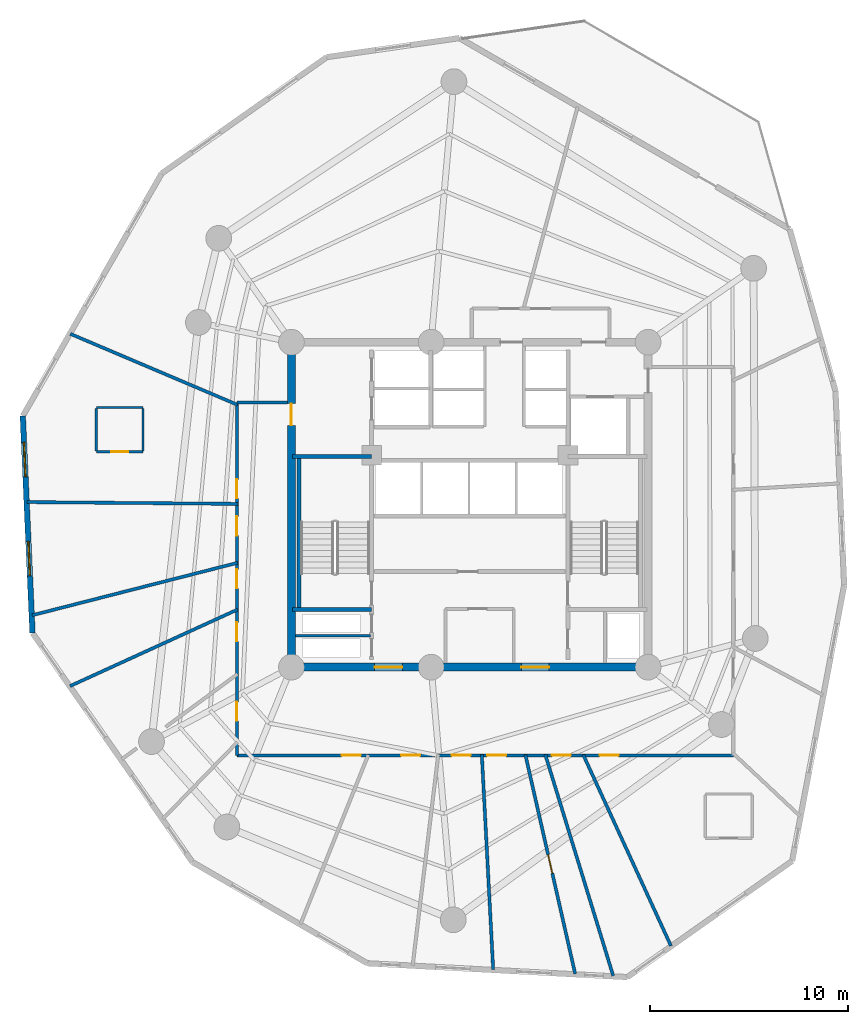
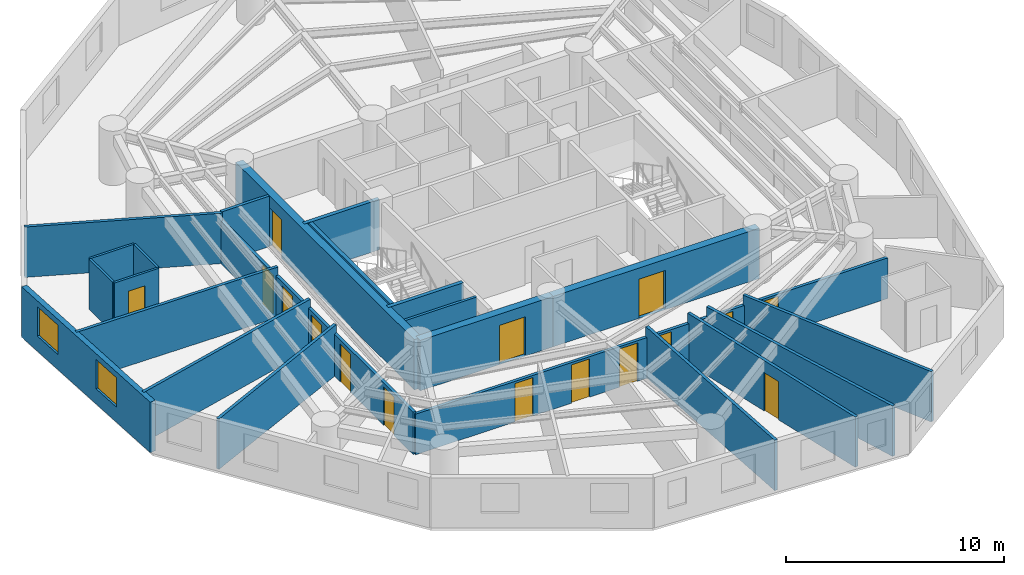
# One storey, part 3 of 7: 23 walls, 16 doors, 2 windows, 18 openings.
"""IFC4 building model written with IfcOpenShell, lengths in metres."""

from ifc_helpers import new_model, si_unit, direction, frame, frame_2d, origin, origin_with_axes, place, context, subcontext, project, spatial, rectangle, extrude, source, transform, mapped, material, layer, layer_set, type_object, element, fill, save


model = new_model("IFC4")

# Units and contexts
model_context = context("Model", 3, precision=1e-05, world=origin(), true_north=direction((0.0, 1.0)))
body_context = subcontext(model_context, "Body", "Model", "MODEL_VIEW")
ifc_project = project(units=[si_unit("LENGTHUNIT", "METRE"), si_unit("AREAUNIT", "SQUARE_METRE"), si_unit("VOLUMEUNIT", "CUBIC_METRE"), si_unit("PLANEANGLEUNIT", "RADIAN"), si_unit("MASSUNIT", "GRAM", prefix="KILO")], contexts=[model_context])

# Site, building, storey
site_placement = place(None, origin())
site = spatial("IfcSite", under=ifc_project, at=site_placement, CompositionType="ELEMENT")
building_placement = place(site_placement, origin())
building = spatial("IfcBuilding", under=site, at=building_placement, Name="Karkom Vertical University and Central Library", CompositionType="ELEMENT")
storey_placement = place(building_placement, frame((0.0, 0.0, 193.14990234375)))
storey = spatial("IfcBuildingStorey", under=building, at=storey_placement, Name="L56", CompositionType="ELEMENT", Elevation=193.14990234375)

# Wall, openings, windows
ifc_material_1 = material(Name="Brick-faced precast concrete C45/55", Category="masonry")
ifc_layer_1 = layer(ifc_material_1, 0.280029296875)
ifc_layer_set_1 = layer_set([ifc_layer_1], Name="Brick-faced precast concrete C45/55")
wall_type_1 = type_object("IfcWallType", Name="ENV-WL-BRK-280", PredefinedType="SOLIDWALL", material=ifc_layer_set_1)
wall_1_placement = place(storey_placement, frame((5.939697265625, 30.984130859375, 0.0), z_axis=(0.0, 0.0, 1.0), x_axis=(0.044646804319, -0.999002834262, 0.0)))
wall_1 = element("IfcWall", 1, at=wall_1_placement, inside=storey, type_object=wall_type_1, Name="Level 56 Brick-Faced Precast Facade Wall 12", PredefinedType="SOLIDWALL", context=body_context, shape_type="SweptSolid", body=[
    extrude(rectangle(XDim=10.974853515625, YDim=0.280029296875, at=frame_2d((5.4873046875, 0.0))), origin(), (0.0, 0.0, 1.0), 2.8251953125),
])
opening_1_placement = place(wall_1_placement, frame((1.334716796875, 0.0, 0.85009765625)))
opening_1 = element("IfcOpeningElement", 2, at=opening_1_placement, cuts=wall_1, Name="Opening WN-08", PredefinedType="OPENING", context=body_context, shape_type="SweptSolid", body=[
    extrude(rectangle(XDim=1.75, YDim=1.64990234375, at=frame_2d((0.875, 0.824951171875))), frame((0.0, 0.14990234375, 0.0), z_axis=(0.0, -1.0, 0.0), x_axis=(1.0, 0.0, 0.0)), (0.0, 0.0, 1.0), 0.300048828125),
])
opening_2_placement = place(wall_1_placement, frame((6.33837890625, 0.0, 0.85009765625)))
opening_2 = element("IfcOpeningElement", 3, at=opening_2_placement, cuts=wall_1, Name="Opening WN-08", PredefinedType="OPENING", context=body_context, shape_type="SweptSolid", body=[
    extrude(rectangle(XDim=1.75, YDim=1.64990234375, at=frame_2d((0.875, 0.824951171875))), frame((0.0, 0.14990234375, 0.0), z_axis=(0.0, -1.0, 0.0), x_axis=(1.0, 0.0, 0.0)), (0.0, 0.0, 1.0), 0.300048828125),
])
ifc_material_2 = material(Name="Aluminium thermal-break frame with solar-control IGU", Category="aluminium")
window_type = type_object("IfcWindowType", Name="ENV-WIN-WN-08", PartitioningType="SINGLE_PANEL", PredefinedType="WINDOW", material=ifc_material_2)
shared_shape_1 = source(origin_with_axes(), body_context, "Body", "SweptSolid", [
    extrude(rectangle(XDim=1.75, YDim=1.64990234375, at=frame_2d((0.875, 0.824951171875))), frame((0.0, 0.030029296875, 0.0), z_axis=(0.0, -1.0, 0.0), x_axis=(1.0, 0.0, 0.0)), (0.0, 0.0, 1.0), 0.06005859375),
])
window_1_placement = place(opening_1_placement, origin())
window_1 = element("IfcWindow", 4, at=window_1_placement, inside=storey, type_object=window_type, Name="Level 56 Punched Window 12.1", OverallHeight=1.64990234375, OverallWidth=1.75, PartitioningType="SINGLE_PANEL", PredefinedType="WINDOW", context=body_context, shape_type="MappedRepresentation", body=[
    mapped(shared_shape_1, transform((0.0, 0.0, 0.0), scale=1.0)),
])
fill(opening_1, window_1)
window_2_placement = place(opening_2_placement, origin())
window_2 = element("IfcWindow", 5, at=window_2_placement, inside=storey, type_object=window_type, Name="Level 56 Punched Window 12.2", OverallHeight=1.64990234375, OverallWidth=1.75, PartitioningType="SINGLE_PANEL", PredefinedType="WINDOW", context=body_context, shape_type="MappedRepresentation", body=[
    mapped(shared_shape_1, transform((0.0, 0.0, 0.0), scale=1.0)),
])
fill(opening_2, window_2)

# Wall, openings, doors
ifc_material_3 = material(Name="Insulated metal-stud drywall 160mm", Category="gypsum")
ifc_layer_2 = layer(ifc_material_3, 0.159912109375)
ifc_layer_set_2 = layer_set([ifc_layer_2], Name="Insulated metal-stud drywall 160mm")
wall_type_2 = type_object("IfcWallType", Name="INT-WL-COR-160", PredefinedType="PARTITIONING", material=ifc_layer_set_2)
wall_2_placement = place(storey_placement, frame((41.800048828125, 13.85009765625, 0.0), z_axis=(0.0, 0.0, 1.0), x_axis=(-1.0, 0.0, 0.0)))
wall_2 = element("IfcWall", 6, at=wall_2_placement, inside=storey, type_object=wall_type_2, Name="Level 56 Interior Partition Wall L56-CORW-CW-001", PredefinedType="PARTITIONING", context=body_context, shape_type="SweptSolid", body=[
    extrude(rectangle(XDim=25.050048828125, YDim=0.159912109375, at=frame_2d((12.52490234375, 0.0))), origin(), (0.0, 0.0, 1.0), 2.275146484375),
])
opening_3_placement = place(wall_2_placement, frame((5.78759765625, 0.0, 0.0)))
opening_3 = element("IfcOpeningElement", 7, at=opening_3_placement, cuts=wall_2, Name="Opening FD-RM2", PredefinedType="OPENING", context=body_context, shape_type="SweptSolid", body=[
    extrude(rectangle(XDim=0.9599609375, YDim=2.14990234375, at=frame_2d((0.47998046875, 1.074951171875))), frame((0.0, 0.08984375, 0.0), z_axis=(0.0, -1.0, 0.0), x_axis=(1.0, 0.0, 0.0)), (0.0, 0.0, 1.0), 0.179931640625),
])
opening_4_placement = place(wall_2_placement, frame((18.802490234375, 0.0, 0.0)))
opening_4 = element("IfcOpeningElement", 8, at=opening_4_placement, cuts=wall_2, Name="Opening FD-RM2", PredefinedType="OPENING", context=body_context, shape_type="SweptSolid", body=[
    extrude(rectangle(XDim=0.9599609375, YDim=2.14990234375, at=frame_2d((0.47998046875, 1.074951171875))), frame((0.0, 0.08984375, 0.0), z_axis=(0.0, -1.0, 0.0), x_axis=(1.0, 0.0, 0.0)), (0.0, 0.0, 1.0), 0.179931640625),
])
opening_5_placement = place(wall_2_placement, frame((15.8076171875, 0.0, 0.0)))
opening_5 = element("IfcOpeningElement", 9, at=opening_5_placement, cuts=wall_2, Name="Opening FD-RM2", PredefinedType="OPENING", context=body_context, shape_type="SweptSolid", body=[
    extrude(rectangle(XDim=0.9599609375, YDim=2.14990234375, at=frame_2d((0.47998046875, 1.074951171875))), frame((0.0, 0.08984375, 0.0), z_axis=(0.0, -1.0, 0.0), x_axis=(1.0, 0.0, 0.0)), (0.0, 0.0, 1.0), 0.179931640625),
])
opening_6_placement = place(wall_2_placement, frame((13.260009765625, 0.0, 0.0)))
opening_6 = element("IfcOpeningElement", 10, at=opening_6_placement, cuts=wall_2, Name="Opening FD-RM2", PredefinedType="OPENING", context=body_context, shape_type="SweptSolid", body=[
    extrude(rectangle(XDim=0.9599609375, YDim=2.14990234375, at=frame_2d((0.47998046875, 1.074951171875))), frame((0.0, 0.08984375, 0.0), z_axis=(0.0, -1.0, 0.0), x_axis=(1.0, 0.0, 0.0)), (0.0, 0.0, 1.0), 0.179931640625),
])
opening_7_placement = place(wall_2_placement, frame((11.4599609375, 0.0, 0.0)))
opening_7 = element("IfcOpeningElement", 11, at=opening_7_placement, cuts=wall_2, Name="Opening FD-RM2", PredefinedType="OPENING", context=body_context, shape_type="SweptSolid", body=[
    extrude(rectangle(XDim=0.9599609375, YDim=2.14990234375, at=frame_2d((0.47998046875, 1.074951171875))), frame((0.0, 0.08984375, 0.0), z_axis=(0.0, -1.0, 0.0), x_axis=(1.0, 0.0, 0.0)), (0.0, 0.0, 1.0), 0.179931640625),
])
opening_8_placement = place(wall_2_placement, frame((8.202392578125, 0.0, 0.0)))
opening_8 = element("IfcOpeningElement", 12, at=opening_8_placement, cuts=wall_2, Name="Opening FD-RM2", PredefinedType="OPENING", context=body_context, shape_type="SweptSolid", body=[
    extrude(rectangle(XDim=0.9599609375, YDim=2.14990234375, at=frame_2d((0.47998046875, 1.074951171875))), frame((0.0, 0.08984375, 0.0), z_axis=(0.0, -1.0, 0.0), x_axis=(1.0, 0.0, 0.0)), (0.0, 0.0, 1.0), 0.179931640625),
])
ifc_material_4 = material(Name="Fire-rated oak veneer door", Category="wood")
door_type_1 = type_object("IfcDoorType", Name="INT-DR-FRM2", OperationType="NOTDEFINED", PredefinedType="DOOR", material=ifc_material_4)
shared_shape_2 = source(origin_with_axes(), body_context, "Body", "SweptSolid", [
    extrude(rectangle(XDim=0.9599609375, YDim=2.14990234375, at=frame_2d((0.47998046875, 1.074951171875))), frame((0.0, 0.02490234375, 0.0), z_axis=(0.0, -1.0, 0.0), x_axis=(1.0, 0.0, 0.0)), (0.0, 0.0, 1.0), 0.050048828125),
])
door_1_placement = place(opening_3_placement, origin())
door_1 = element("IfcDoor", 13, at=door_1_placement, inside=storey, type_object=door_type_1, Name="Level 56 Room Entry Door 100", OperationType="SINGLE_SWING_RIGHT", OverallHeight=2.14990234375, OverallWidth=0.9599609375, PredefinedType="DOOR", context=body_context, shape_type="MappedRepresentation", body=[
    mapped(shared_shape_2, transform((0.0, 0.0, 0.0), scale=1.0)),
])
fill(opening_3, door_1)
door_2_placement = place(opening_4_placement, origin())
door_2 = element("IfcDoor", 14, at=door_2_placement, inside=storey, type_object=door_type_1, Name="Level 56 Room Entry Door 041", OperationType="SINGLE_SWING_LEFT", OverallHeight=2.14990234375, OverallWidth=0.9599609375, PredefinedType="DOOR", context=body_context, shape_type="MappedRepresentation", body=[
    mapped(shared_shape_2, transform((0.0, 0.0, 0.0), scale=1.0)),
])
fill(opening_4, door_2)
door_3_placement = place(opening_5_placement, origin())
door_3 = element("IfcDoor", 15, at=door_3_placement, inside=storey, type_object=door_type_1, Name="Level 56 Room Entry Door 051", OperationType="SINGLE_SWING_RIGHT", OverallHeight=2.14990234375, OverallWidth=0.9599609375, PredefinedType="DOOR", context=body_context, shape_type="MappedRepresentation", body=[
    mapped(shared_shape_2, transform((0.0, 0.0, 0.0), scale=1.0)),
])
fill(opening_5, door_3)
door_4_placement = place(opening_6_placement, origin())
door_4 = element("IfcDoor", 16, at=door_4_placement, inside=storey, type_object=door_type_1, Name="Level 56 Room Entry Door 061", OperationType="SINGLE_SWING_LEFT", OverallHeight=2.14990234375, OverallWidth=0.9599609375, PredefinedType="DOOR", context=body_context, shape_type="MappedRepresentation", body=[
    mapped(shared_shape_2, transform((0.0, 0.0, 0.0), scale=1.0)),
])
fill(opening_6, door_4)
door_5_placement = place(opening_7_placement, origin())
door_5 = element("IfcDoor", 17, at=door_5_placement, inside=storey, type_object=door_type_1, Name="Level 56 Room Entry Door 071", OperationType="SINGLE_SWING_RIGHT", OverallHeight=2.14990234375, OverallWidth=0.9599609375, PredefinedType="DOOR", context=body_context, shape_type="MappedRepresentation", body=[
    mapped(shared_shape_2, transform((0.0, 0.0, 0.0), scale=1.0)),
])
fill(opening_7, door_5)
door_6_placement = place(opening_8_placement, origin())
door_6 = element("IfcDoor", 18, at=door_6_placement, inside=storey, type_object=door_type_1, Name="Level 56 Room Entry Door 091", OperationType="SINGLE_SWING_LEFT", OverallHeight=2.14990234375, OverallWidth=0.9599609375, PredefinedType="DOOR", context=body_context, shape_type="MappedRepresentation", body=[
    mapped(shared_shape_2, transform((0.0, 0.0, 0.0), scale=1.0)),
])
fill(opening_8, door_6)

wall_3_placement = place(storey_placement, frame((16.75, 13.85009765625, 0.0), z_axis=(0.0, 0.0, 1.0), x_axis=(0.0, 1.0, 0.0)))
wall_3 = element("IfcWall", 19, at=wall_3_placement, inside=storey, type_object=wall_type_2, Name="Level 56 Interior Partition Wall L56-CORW-CW-002", PredefinedType="PARTITIONING", context=body_context, shape_type="SweptSolid", body=[
    extrude(rectangle(XDim=17.7998046875, YDim=0.159912109375, at=frame_2d((8.89990234375, 0.0))), origin(), (0.0, 0.0, 1.0), 2.375),
])
opening_9_placement = place(wall_3_placement, frame((12.965087890625, 0.0, 0.0)))
opening_9 = element("IfcOpeningElement", 20, at=opening_9_placement, cuts=wall_3, Name="Opening FD-RM2", PredefinedType="OPENING", context=body_context, shape_type="SweptSolid", body=[
    extrude(rectangle(XDim=0.9599609375, YDim=2.14990234375, at=frame_2d((0.47998046875, 1.074951171875))), frame((0.0, 0.08984375, 0.0), z_axis=(0.0, -1.0, 0.0), x_axis=(1.0, 0.0, 0.0)), (0.0, 0.0, 1.0), 0.179931640625),
])
opening_10_placement = place(wall_3_placement, frame((11.094970703125, 0.0, 0.0)))
opening_10 = element("IfcOpeningElement", 21, at=opening_10_placement, cuts=wall_3, Name="Opening FD-RM2", PredefinedType="OPENING", context=body_context, shape_type="SweptSolid", body=[
    extrude(rectangle(XDim=0.9599609375, YDim=2.14990234375, at=frame_2d((0.47998046875, 1.074951171875))), frame((0.0, 0.08984375, 0.0), z_axis=(0.0, -1.0, 0.0), x_axis=(1.0, 0.0, 0.0)), (0.0, 0.0, 1.0), 0.179931640625),
])
opening_11_placement = place(wall_3_placement, frame((8.425048828125, 0.0, 0.0)))
opening_11 = element("IfcOpeningElement", 22, at=opening_11_placement, cuts=wall_3, Name="Opening FD-RM2", PredefinedType="OPENING", context=body_context, shape_type="SweptSolid", body=[
    extrude(rectangle(XDim=0.9599609375, YDim=2.14990234375, at=frame_2d((0.47998046875, 1.074951171875))), frame((0.0, 0.08984375, 0.0), z_axis=(0.0, -1.0, 0.0), x_axis=(1.0, 0.0, 0.0)), (0.0, 0.0, 1.0), 0.179931640625),
])
opening_12_placement = place(wall_3_placement, frame((5.7548828125, 0.0, 0.0)))
opening_12 = element("IfcOpeningElement", 23, at=opening_12_placement, cuts=wall_3, Name="Opening FD-RM2", PredefinedType="OPENING", context=body_context, shape_type="SweptSolid", body=[
    extrude(rectangle(XDim=0.9599609375, YDim=2.14990234375, at=frame_2d((0.47998046875, 1.074951171875))), frame((0.0, 0.08984375, 0.0), z_axis=(0.0, -1.0, 0.0), x_axis=(1.0, 0.0, 0.0)), (0.0, 0.0, 1.0), 0.179931640625),
])
opening_13_placement = place(wall_3_placement, frame((1.740478515625, 0.0, 0.0)))
opening_13 = element("IfcOpeningElement", 24, at=opening_13_placement, cuts=wall_3, Name="Opening FD-RM2", PredefinedType="OPENING", context=body_context, shape_type="SweptSolid", body=[
    extrude(rectangle(XDim=0.9599609375, YDim=2.14990234375, at=frame_2d((0.47998046875, 1.074951171875))), frame((0.0, 0.08984375, 0.0), z_axis=(0.0, -1.0, 0.0), x_axis=(1.0, 0.0, 0.0)), (0.0, 0.0, 1.0), 0.179931640625),
])
door_7_placement = place(opening_9_placement, origin())
door_7 = element("IfcDoor", 25, at=door_7_placement, inside=storey, type_object=door_type_1, Name="Level 56 Room Entry Door 160", OperationType="SINGLE_SWING_RIGHT", OverallHeight=2.14990234375, OverallWidth=0.9599609375, PredefinedType="DOOR", context=body_context, shape_type="MappedRepresentation", body=[
    mapped(shared_shape_2, transform((0.0, 0.0, 0.0), scale=1.0)),
])
fill(opening_9, door_7)
door_8_placement = place(opening_10_placement, origin())
door_8 = element("IfcDoor", 26, at=door_8_placement, inside=storey, type_object=door_type_1, Name="Level 56 Room Entry Door 001", OperationType="SINGLE_SWING_LEFT", OverallHeight=2.14990234375, OverallWidth=0.9599609375, PredefinedType="DOOR", context=body_context, shape_type="MappedRepresentation", body=[
    mapped(shared_shape_2, transform((0.0, 0.0, 0.0), scale=1.0)),
])
fill(opening_10, door_8)
door_9_placement = place(opening_11_placement, origin())
door_9 = element("IfcDoor", 27, at=door_9_placement, inside=storey, type_object=door_type_1, Name="Level 56 Room Entry Door 011", OperationType="SINGLE_SWING_RIGHT", OverallHeight=2.14990234375, OverallWidth=0.9599609375, PredefinedType="DOOR", context=body_context, shape_type="MappedRepresentation", body=[
    mapped(shared_shape_2, transform((0.0, 0.0, 0.0), scale=1.0)),
])
fill(opening_11, door_9)
door_10_placement = place(opening_12_placement, origin())
door_10 = element("IfcDoor", 28, at=door_10_placement, inside=storey, type_object=door_type_1, Name="Level 56 Room Entry Door 021", OperationType="SINGLE_SWING_LEFT", OverallHeight=2.14990234375, OverallWidth=0.9599609375, PredefinedType="DOOR", context=body_context, shape_type="MappedRepresentation", body=[
    mapped(shared_shape_2, transform((0.0, 0.0, 0.0), scale=1.0)),
])
fill(opening_12, door_10)
door_11_placement = place(opening_13_placement, origin())
door_11 = element("IfcDoor", 29, at=door_11_placement, inside=storey, type_object=door_type_1, Name="Level 56 Room Entry Door 031", OperationType="SINGLE_SWING_RIGHT", OverallHeight=2.14990234375, OverallWidth=0.9599609375, PredefinedType="DOOR", context=body_context, shape_type="MappedRepresentation", body=[
    mapped(shared_shape_2, transform((0.0, 0.0, 0.0), scale=1.0)),
])
fill(opening_13, door_11)

# Wall
wall_4_placement = place(storey_placement, frame((32.30908203125, 13.89306640625, 0.0), z_axis=(0.0, 0.0, 1.0), x_axis=(0.293563334505, -0.95593962604, 0.0)))
element("IfcWall", 30, at=wall_4_placement, inside=storey, type_object=wall_type_2, Name="Level 56 Interior Partition Wall L56-PW-011", PredefinedType="PARTITIONING", context=body_context, shape_type="SweptSolid", body=[
    extrude(rectangle(XDim=11.689697265625, YDim=0.159912109375, at=frame_2d((5.8447265625, 0.0))), origin(), (0.0, 0.0, 1.0), 2.8251953125),
])

# Wall, opening, door
wall_5_placement = place(storey_placement, frame((31.306640625, 13.87939453125, 0.0), z_axis=(0.0, 0.0, 1.0), x_axis=(0.221597844898, -0.975138141566, 0.0)))
wall_5 = element("IfcWall", 31, at=wall_5_placement, inside=storey, type_object=wall_type_2, Name="Level 56 Interior Partition Wall L56-PW-010", PredefinedType="PARTITIONING", context=body_context, shape_type="SweptSolid", body=[
    extrude(rectangle(XDim=11.34228515625, YDim=0.159912109375, at=frame_2d((5.671142578125, 0.0))), origin(), (0.0, 0.0, 1.0), 2.8251953125),
])
opening_14_placement = place(wall_5_placement, frame((5.1787109375, 0.0, 0.0)))
opening_14 = element("IfcOpeningElement", 32, at=opening_14_placement, cuts=wall_5, Name="Opening FD-RM2", PredefinedType="OPENING", context=body_context, shape_type="SweptSolid", body=[
    extrude(rectangle(XDim=0.9599609375, YDim=2.14990234375, at=frame_2d((0.47998046875, 1.074951171875))), frame((0.0, 0.08984375, 0.0), z_axis=(0.0, -1.0, 0.0), x_axis=(1.0, 0.0, 0.0)), (0.0, 0.0, 1.0), 0.179931640625),
])
door_12_placement = place(opening_14_placement, origin())
door_12 = element("IfcDoor", 33, at=door_12_placement, inside=storey, type_object=door_type_1, Name="Level 56 Room Entry Door 081", OperationType="SINGLE_SWING_LEFT", OverallHeight=2.14990234375, OverallWidth=0.9599609375, PredefinedType="DOOR", context=body_context, shape_type="MappedRepresentation", body=[
    mapped(shared_shape_2, transform((0.0, 0.0, 0.0), scale=1.0)),
])
fill(opening_14, door_12)

# Walls
wall_6_placement = place(storey_placement, frame((29.107177734375, 13.89501953125, 0.0), z_axis=(0.0, 0.0, 1.0), x_axis=(0.052855813996, -0.998602154477, 0.0)))
element("IfcWall", 34, at=wall_6_placement, inside=storey, type_object=wall_type_2, Name="Level 56 Interior Partition Wall L56-PW-009", PredefinedType="PARTITIONING", context=body_context, shape_type="SweptSolid", body=[
    extrude(rectangle(XDim=10.873046875, YDim=0.159912109375, at=frame_2d((5.4365234375, 0.0))), origin(), (0.0, 0.0, 1.0), 2.8251953125),
])
wall_7_placement = place(storey_placement, frame((16.779052734375, 23.568115234375, 0.0), z_axis=(0.0, 0.0, 1.0), x_axis=(-0.968887786479, -0.247500418611, 0.0)))
element("IfcWall", 35, at=wall_7_placement, inside=storey, type_object=wall_type_2, Name="Level 56 Interior Partition Wall L56-PW-001", PredefinedType="PARTITIONING", context=body_context, shape_type="SweptSolid", body=[
    extrude(rectangle(XDim=10.69580078125, YDim=0.159912109375, at=frame_2d((5.347900390625, 0.0))), origin(), (0.0, 0.0, 1.0), 2.8251953125),
])
wall_8_placement = place(storey_placement, frame((6.1591796875, 26.632080078125, 0.0), z_axis=(0.0, 0.0, 1.0), x_axis=(0.999963152013, -0.008584556843, 0.0)))
element("IfcWall", 36, at=wall_8_placement, inside=storey, type_object=wall_type_2, Name="Level 56 Interior Partition Wall L56-PW-002", PredefinedType="PARTITIONING", context=body_context, shape_type="SweptSolid", body=[
    extrude(rectangle(XDim=10.636474609375, YDim=0.159912109375, at=frame_2d((5.318359375, 0.0))), origin(), (0.0, 0.0, 1.0), 2.8251953125),
])
wall_9_placement = place(storey_placement, frame((34.22705078125, 13.877197265625, 0.0), z_axis=(0.0, 0.0, 1.0), x_axis=(0.417118124117, -0.90885228202, 0.0)))
element("IfcWall", 37, at=wall_9_placement, inside=storey, type_object=wall_type_2, Name="Level 56 Interior Partition Wall L56-PW-012", PredefinedType="PARTITIONING", context=body_context, shape_type="SweptSolid", body=[
    extrude(rectangle(XDim=10.611083984375, YDim=0.159912109375, at=frame_2d((5.3056640625, 0.0))), origin(), (0.0, 0.0, 1.0), 2.8251953125),
])
wall_10_placement = place(storey_placement, frame((16.77734375, 21.20849609375, 0.0), z_axis=(0.0, 0.0, 1.0), x_axis=(-0.909515920055, -0.415669088539, 0.0)))
element("IfcWall", 38, at=wall_10_placement, inside=storey, type_object=wall_type_2, Name="Level 56 Interior Partition Wall L56-PW-003", PredefinedType="PARTITIONING", context=body_context, shape_type="SweptSolid", body=[
    extrude(rectangle(XDim=9.29052734375, YDim=0.159912109375, at=frame_2d((4.645263671875, 0.0))), origin(), (0.0, 0.0, 1.0), 2.8251953125),
])
wall_11_placement = place(storey_placement, frame((16.777587890625, 31.541015625, 0.0), z_axis=(0.0, 0.0, 1.0), x_axis=(-0.920503138741, 0.390735168072, 0.0)))
element("IfcWall", 39, at=wall_11_placement, inside=storey, type_object=wall_type_2, Name="Level 56 Interior Partition Wall L56-PW-018", PredefinedType="PARTITIONING", context=body_context, shape_type="SweptSolid", body=[
    extrude(rectangle(XDim=9.16796875, YDim=0.159912109375, at=frame_2d((4.583984375, 0.0))), origin(), (0.0, 0.0, 1.0), 2.8251953125),
])
wall_12_placement = place(storey_placement, frame((16.75, 31.64990234375, 0.0), z_axis=(0.0, 0.0, 1.0), x_axis=(1.0, 0.0, 0.0)))
element("IfcWall", 40, at=wall_12_placement, inside=storey, type_object=wall_type_2, Name="Level 56 Interior Partition Wall L56-CORW-CW-003", PredefinedType="PARTITIONING", context=body_context, shape_type="SweptSolid", body=[
    extrude(rectangle(XDim=2.54296875, YDim=0.159912109375, at=frame_2d((1.271484375, 0.0))), origin(), (0.0, 0.0, 1.0), 2.8251953125),
])

# Wall, opening, door
ifc_material_5 = material(Name="Moisture-resistant drywall 120mm", Category="gypsum")
ifc_layer_3 = layer(ifc_material_5, 0.1201171875)
ifc_layer_set_3 = layer_set([ifc_layer_3], Name="Moisture-resistant drywall 120mm")
wall_type_3 = type_object("IfcWallType", Name="INT-WL-INT-120F", PredefinedType="PARTITIONING", material=ifc_layer_set_3)
wall_13_placement = place(storey_placement, frame((9.64990234375, 29.1669921875, 0.0), z_axis=(0.0, 0.0, 1.0), x_axis=(1.0, 0.0, 0.0)))
wall_13 = element("IfcWall", 41, at=wall_13_placement, inside=storey, type_object=wall_type_3, Name="Level 56 Interior Partition Wall L56-ENS-16-S", PredefinedType="PARTITIONING", context=body_context, shape_type="SweptSolid", body=[
    extrude(rectangle(XDim=2.360107421875, YDim=0.1201171875, at=frame_2d((1.18017578125, 0.0))), origin(), (0.0, 0.0, 1.0), 2.8251953125),
])
opening_15_placement = place(wall_13_placement, frame((0.75, 0.0, 0.0)))
opening_15 = element("IfcOpeningElement", 42, at=opening_15_placement, cuts=wall_13, Name="Opening D-BATH", PredefinedType="OPENING", context=body_context, shape_type="SweptSolid", body=[
    extrude(rectangle(XDim=0.860107421875, YDim=2.10009765625, at=frame_2d((0.43017578125, 1.050048828125))), frame((0.0, 0.070068359375, 0.0), z_axis=(0.0, -1.0, 0.0), x_axis=(1.0, 0.0, 0.0)), (0.0, 0.0, 1.0), 0.14013671875),
])
ifc_material_6 = material(Name="Moisture-resistant oak door", Category="wood")
door_type_2 = type_object("IfcDoorType", Name="INT-DR-BATH", OperationType="NOTDEFINED", PredefinedType="DOOR", material=ifc_material_6)
shared_shape_3 = source(origin_with_axes(), body_context, "Body", "SweptSolid", [
    extrude(rectangle(XDim=0.860107421875, YDim=2.10009765625, at=frame_2d((0.43017578125, 1.050048828125))), frame((0.0, 0.02490234375, 0.0), z_axis=(0.0, -1.0, 0.0), x_axis=(1.0, 0.0, 0.0)), (0.0, 0.0, 1.0), 0.050048828125),
])
door_13_placement = place(opening_15_placement, origin())
door_13 = element("IfcDoor", 43, at=door_13_placement, inside=storey, type_object=door_type_2, Name="Level 56 En-Suite Bathroom Door 16", OperationType="SINGLE_SWING_LEFT", OverallHeight=2.10009765625, OverallWidth=0.860107421875, PredefinedType="DOOR", context=body_context, shape_type="MappedRepresentation", body=[
    mapped(shared_shape_3, transform((0.0, 0.0, 0.0), scale=1.0)),
])
fill(opening_15, door_13)

# Walls
wall_14_placement = place(storey_placement, frame((12.010009765625, 31.406982421875, 0.0), z_axis=(0.0, 0.0, 1.0), x_axis=(-1.0, 0.0, 0.0)))
element("IfcWall", 44, at=wall_14_placement, inside=storey, type_object=wall_type_3, Name="Level 56 Interior Partition Wall L56-ENS-16-N", PredefinedType="PARTITIONING", context=body_context, shape_type="SweptSolid", body=[
    extrude(rectangle(XDim=2.360107421875, YDim=0.1201171875, at=frame_2d((1.18017578125, 0.0))), origin(), (0.0, 0.0, 1.0), 2.8251953125),
])
for number, where, z_axis, x_axis, name in (
    (45, (12.010009765625, 29.217041015625, 0.0), (0.0, 0.0, 1.0), (0.0, 1.0, 0.0), "Level 56 Interior Partition Wall L56-ENS-16-E"),
    (46, (9.64990234375, 31.35693359375, 0.0), (0.0, 0.0, 1.0), (0.0, -1.0, 0.0), "Level 56 Interior Partition Wall L56-ENS-16-W"),
):
    element("IfcWall", number, at=place(storey_placement, frame(where, z_axis=z_axis, x_axis=x_axis)), inside=storey, type_object=wall_type_3, Name=name, PredefinedType="PARTITIONING", context=body_context, shape_type="SweptSolid", body=[
        extrude(rectangle(XDim=2.139892578125, YDim=0.1201171875, at=frame_2d((1.06982421875, 0.0))), origin(), (0.0, 0.0, 1.0), 2.8251953125),
    ])
ifc_material_7 = material(Name="Metal-stud gypsum partition 140mm", Category="gypsum")
ifc_layer_4 = layer(ifc_material_7, 0.139892578125)
ifc_layer_set_4 = layer_set([ifc_layer_4], Name="Metal-stud gypsum partition 140mm")
wall_type_4 = type_object("IfcWallType", Name="INT-WL-SUB-140H", PredefinedType="PARTITIONING", material=ifc_layer_set_4)
wall_15_placement = place(storey_placement, frame((19.70703125, 19.889892578125, 0.0), z_axis=(0.0, 0.0, 1.0), x_axis=(1.0, 0.0, 0.0)))
element("IfcWall", 47, at=wall_15_placement, inside=storey, type_object=wall_type_4, Name="Level 56 Interior Partition Wall L56-CW-RIS-W", PredefinedType="PARTITIONING", context=body_context, shape_type="SweptSolid", body=[
    extrude(rectangle(XDim=3.789794921875, YDim=0.139892578125, at=frame_2d((1.89501953125, 0.0))), origin(), (0.0, 0.0, 1.0), 2.8251953125),
])

# Wall, opening, door
ifc_material_8 = material(Name="Concrete C50/60", Category="concrete")
ifc_layer_5 = layer(ifc_material_8, 0.39990234375)
ifc_layer_set_5 = layer_set([ifc_layer_5], Name="Concrete C50/60")
wall_type_5 = type_object("IfcWallType", Name="STR-WL-CW-400", PredefinedType="SHEAR", material=ifc_layer_set_5)
wall_16_placement = place(storey_placement, frame((19.5, 18.300048828125, 0.0), z_axis=(0.0, 0.0, 1.0), x_axis=(1.0, 0.0, 0.0)))
wall_16 = element("IfcWall", 48, at=wall_16_placement, inside=storey, type_object=wall_type_5, Name="Level 56 Central Core Shear Wall SW1", PredefinedType="SHEAR", context=body_context, shape_type="SweptSolid", body=[
    extrude(rectangle(XDim=7.050048828125, YDim=0.39990234375, at=frame_2d((3.52490234375, 0.0))), origin(), (0.0, 0.0, 1.0), 2.8251953125),
])
opening_16_placement = place(wall_16_placement, frame((4.199951171875, 0.0, 0.0)))
opening_16 = element("IfcOpeningElement", 49, at=opening_16_placement, cuts=wall_16, Name="Opening FD-CLB", PredefinedType="OPENING", context=body_context, shape_type="SweptSolid", body=[
    extrude(rectangle(XDim=1.39990234375, YDim=2.199951171875, at=frame_2d((0.699951171875, 1.10009765625))), frame((0.0, 0.2099609375, 0.0), z_axis=(0.0, -1.0, 0.0), x_axis=(1.0, 0.0, 0.0)), (0.0, 0.0, 1.0), 0.419921875),
])
ifc_material_9 = material(Name="Painted steel fire door", Category="steel")
door_type_3 = type_object("IfcDoorType", Name="INT-DR-CLB", OperationType="DOUBLE_DOOR_SINGLE_SWING", PredefinedType="DOOR", material=ifc_material_9)
shared_shape_4 = source(origin_with_axes(), body_context, "Body", "SweptSolid", [
    extrude(rectangle(XDim=1.39990234375, YDim=2.199951171875, at=frame_2d((0.699951171875, 1.10009765625))), frame((0.0, 0.02490234375, 0.0), z_axis=(0.0, -1.0, 0.0), x_axis=(1.0, 0.0, 0.0)), (0.0, 0.0, 1.0), 0.050048828125),
])
door_14_placement = place(opening_16_placement, origin())
door_14 = element("IfcDoor", 50, at=door_14_placement, inside=storey, type_object=door_type_3, Name="Level 56 South Core Lobby West Exit Door", OperationType="DOUBLE_DOOR_SINGLE_SWING", OverallHeight=2.199951171875, OverallWidth=1.39990234375, PredefinedType="DOOR", context=body_context, shape_type="MappedRepresentation", body=[
    mapped(shared_shape_4, transform((0.0, 0.0, 0.0), scale=1.0)),
])
fill(opening_16, door_14)

wall_17_placement = place(storey_placement, frame((26.550048828125, 18.300048828125, 0.0), z_axis=(0.0, 0.0, 1.0), x_axis=(1.0, 0.0, 0.0)))
wall_17 = element("IfcWall", 51, at=wall_17_placement, inside=storey, type_object=wall_type_5, Name="Level 56 Central Core Shear Wall SW2", PredefinedType="SHEAR", context=body_context, shape_type="SweptSolid", body=[
    extrude(rectangle(XDim=10.949951171875, YDim=0.39990234375, at=frame_2d((5.47509765625, 0.0))), origin(), (0.0, 0.0, 1.0), 2.8251953125),
])
opening_17_placement = place(wall_17_placement, frame((4.550048828125, 0.0, 0.0)))
opening_17 = element("IfcOpeningElement", 52, at=opening_17_placement, cuts=wall_17, Name="Opening FD-CLB", PredefinedType="OPENING", context=body_context, shape_type="SweptSolid", body=[
    extrude(rectangle(XDim=1.39990234375, YDim=2.199951171875, at=frame_2d((0.699951171875, 1.10009765625))), frame((0.0, 0.2099609375, 0.0), z_axis=(0.0, -1.0, 0.0), x_axis=(1.0, 0.0, 0.0)), (0.0, 0.0, 1.0), 0.419921875),
])
door_15_placement = place(opening_17_placement, origin())
door_15 = element("IfcDoor", 53, at=door_15_placement, inside=storey, type_object=door_type_3, Name="Level 56 South Core Lobby East Exit Door", OperationType="DOUBLE_DOOR_SINGLE_SWING", OverallHeight=2.199951171875, OverallWidth=1.39990234375, PredefinedType="DOOR", context=body_context, shape_type="MappedRepresentation", body=[
    mapped(shared_shape_4, transform((0.0, 0.0, 0.0), scale=1.0)),
])
fill(opening_17, door_15)

wall_18_placement = place(storey_placement, frame((19.5, 34.699951171875, 0.0), z_axis=(0.0, 0.0, 1.0), x_axis=(0.0, -1.0, 0.0)))
wall_18 = element("IfcWall", 54, at=wall_18_placement, inside=storey, type_object=wall_type_5, Name="Level 56 Central Core Shear Wall WW", PredefinedType="SHEAR", context=body_context, shape_type="SweptSolid", body=[
    extrude(rectangle(XDim=16.39990234375, YDim=0.39990234375, at=frame_2d((8.199951171875, 0.0))), origin(), (0.0, 0.0, 1.0), 2.8251953125),
])
opening_18_placement = place(wall_18_placement, frame((3.10009765625, 0.0, 0.0)))
opening_18 = element("IfcOpeningElement", 55, at=opening_18_placement, cuts=wall_18, Name="Opening FD-FFL", PredefinedType="OPENING", context=body_context, shape_type="SweptSolid", body=[
    extrude(rectangle(XDim=1.10009765625, YDim=2.14990234375, at=frame_2d((0.550048828125, 1.074951171875))), frame((0.0, 0.2099609375, 0.0), z_axis=(0.0, -1.0, 0.0), x_axis=(1.0, 0.0, 0.0)), (0.0, 0.0, 1.0), 0.419921875),
])
ifc_material_10 = material(Name="Painted steel smoke-seal fire door", Category="steel")
door_type_4 = type_object("IfcDoorType", Name="INT-DR-FFL", OperationType="NOTDEFINED", PredefinedType="DOOR", material=ifc_material_10)
shared_shape_5 = source(origin_with_axes(), body_context, "Body", "SweptSolid", [
    extrude(rectangle(XDim=1.10009765625, YDim=2.14990234375, at=frame_2d((0.550048828125, 1.074951171875))), frame((0.0, 0.02490234375, 0.0), z_axis=(0.0, -1.0, 0.0), x_axis=(1.0, 0.0, 0.0)), (0.0, 0.0, 1.0), 0.050048828125),
])
door_16_placement = place(opening_18_placement, origin())
door_16 = element("IfcDoor", 56, at=door_16_placement, inside=storey, type_object=door_type_4, Name="Level 56 West Corridor Firefighting Lobby Door", OperationType="SINGLE_SWING_RIGHT", OverallHeight=2.14990234375, OverallWidth=1.10009765625, PredefinedType="DOOR", context=body_context, shape_type="MappedRepresentation", body=[
    mapped(shared_shape_5, transform((0.0, 0.0, 0.0), scale=1.0)),
])
fill(opening_18, door_16)

# Walls
ifc_material_11 = material(Name="Concrete C45/55", Category="concrete")
ifc_layer_6 = layer(ifc_material_11, 0.199951171875)
ifc_layer_set_6 = layer_set([ifc_layer_6], Name="Concrete C45/55")
wall_type_6 = type_object("IfcWallType", Name="STR-WL-ST-200", PredefinedType="SHEAR", material=ifc_layer_set_6)
wall_19_placement = place(storey_placement, frame((19.875, 21.320068359375, 0.0), z_axis=(0.0, 0.0, 1.0), x_axis=(0.0, 1.0, 0.0)))
element("IfcWall", 57, at=wall_19_placement, inside=storey, type_object=wall_type_6, Name="Level 56 Core Shaft Wall L56-CW-ST1-W", PredefinedType="SHEAR", context=body_context, shape_type="SweptSolid", body=[
    extrude(rectangle(XDim=7.5, YDim=0.199951171875, at=frame_2d((3.75, 0.0))), origin(), (0.0, 0.0, 1.0), 2.8251953125),
])
for number, where, z_axis, x_axis, name in (
    (58, (19.550048828125, 21.215087890625, 0.0), (0.0, 0.0, 1.0), (1.0, 0.0, 0.0), "Level 56 Core Shaft Wall L56-CW-ST1-S"),
    (59, (19.550048828125, 28.925048828125, 0.0), (0.0, 0.0, 1.0), (1.0, 0.0, 0.0), "Level 56 Core Shaft Wall L56-CW-ST1-N"),
):
    element("IfcWall", number, at=place(storey_placement, frame(where, z_axis=z_axis, x_axis=x_axis)), inside=storey, type_object=wall_type_6, Name=name, PredefinedType="SHEAR", context=body_context, shape_type="SweptSolid", body=[
        extrude(rectangle(XDim=3.994873046875, YDim=0.199951171875, at=frame_2d((1.99755859375, 0.0))), origin(), (0.0, 0.0, 1.0), 2.8251953125),
    ])

save(model, "model.ifc")
